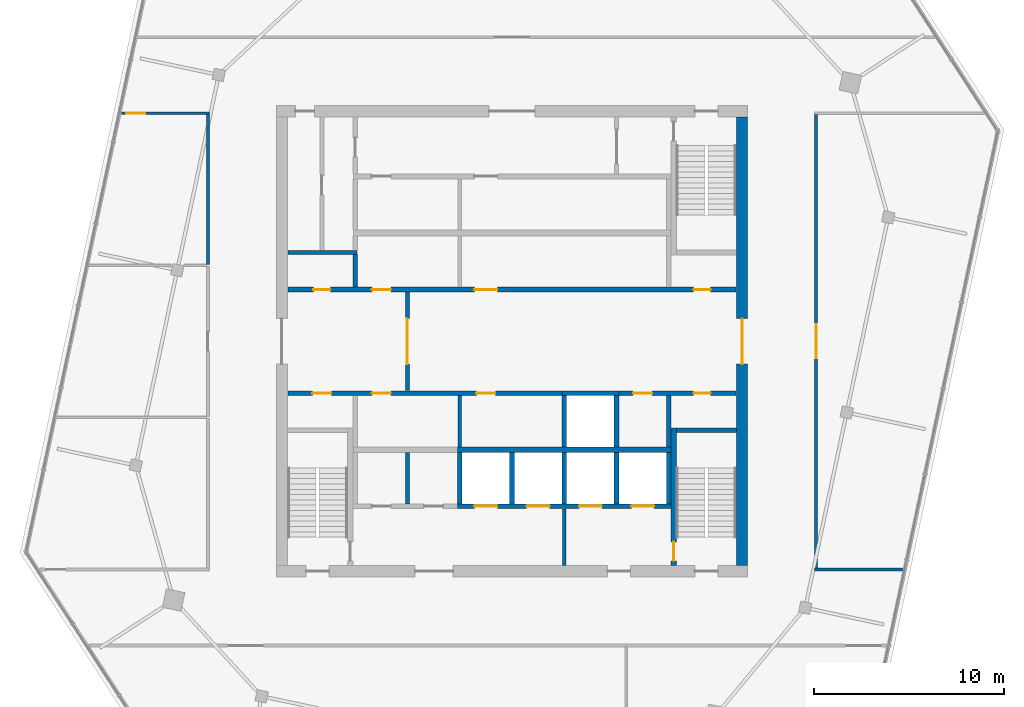
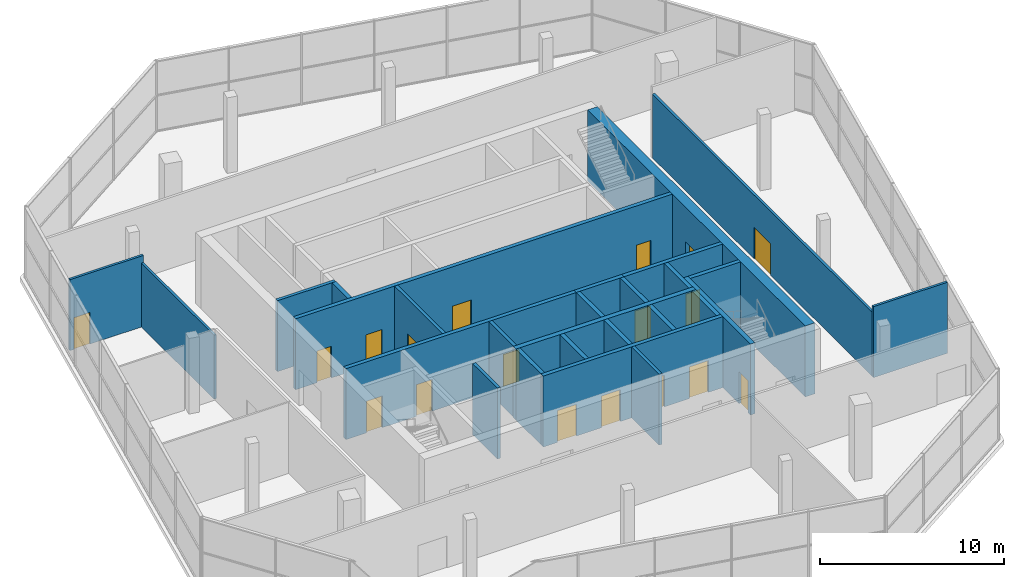
# One storey, part 9 of 11: 27 walls, 18 doors, 18 openings.
"""IFC4 building model written with IfcOpenShell, lengths in metres."""

from ifc_helpers import new_model, si_unit, direction, frame, frame_2d, origin, place, context, subcontext, project, spatial, rectangle, extrude, material, layer, layer_set, type_object, element, fill, save


model = new_model("IFC4")

# Units and contexts
model_context = context("Model", 3, precision=1e-05, world=origin(), true_north=direction((0.0, 1.0)))
body_context = subcontext(model_context, "Body", "Model", "MODEL_VIEW")
ifc_project = project(units=[si_unit("LENGTHUNIT", "METRE"), si_unit("AREAUNIT", "SQUARE_METRE"), si_unit("VOLUMEUNIT", "CUBIC_METRE"), si_unit("PLANEANGLEUNIT", "RADIAN"), si_unit("MASSUNIT", "GRAM", prefix="KILO")], contexts=[model_context])

# Site, building, storey
site_placement = place(None, origin())
site = spatial("IfcSite", under=ifc_project, at=site_placement, CompositionType="ELEMENT")
building_placement = place(site_placement, origin())
building = spatial("IfcBuilding", under=site, at=building_placement, Name="Dilmun Exchange Tower", CompositionType="ELEMENT")
storey_placement = place(building_placement, frame((0.0, 0.0, 363.10009765625)))
storey = spatial("IfcBuildingStorey", under=building, at=storey_placement, Name="Crown L85", CompositionType="ELEMENT", Elevation=363.10009765625)

# Walls
ifc_material_1 = material(Name="Concrete C40/50", Category="concrete")
ifc_layer_1 = layer(ifc_material_1, 0.199951171875)
ifc_layer_set_1 = layer_set([ifc_layer_1], Name="Concrete C40/50")
wall_type_1 = type_object("IfcWallType", Name="Core partition wall 200", PredefinedType="PARTITIONING", material=ifc_layer_set_1)
wall_1_placement = place(storey_placement, frame((2.75, -11.794921875, 0.0), z_axis=(0.0, 0.0, 1.0), x_axis=(0.0, 1.0, 0.0)))
element("IfcWall", 1, at=wall_1_placement, inside=storey, type_object=wall_type_1, Name="Crown L85 core partition wall 01", PredefinedType="PARTITIONING", context=body_context, shape_type="SweptSolid", body=[
    extrude(rectangle(XDim=2.989990234375, YDim=0.199951171875, at=frame_2d((1.4951171875, 0.0))), origin(), (0.0, 0.0, 1.0), 4.699951171875),
])
for number, where, z_axis, x_axis, name in (
    (2, (-5.5, -8.544921875, 0.0), (0.0, 0.0, 1.0), (0.0, 1.0, 0.0), "Crown L85 core partition wall 04"),
    (3, (-2.75, -5.544921875, 0.0), (0.0, 0.0, 1.0), (0.0, 1.0, 0.0), "Crown L85 core partition wall 07"),
):
    element("IfcWall", number, at=place(storey_placement, frame(where, z_axis=z_axis, x_axis=x_axis)), inside=storey, type_object=wall_type_1, Name=name, PredefinedType="PARTITIONING", context=body_context, shape_type="SweptSolid", body=[
        extrude(rectangle(XDim=2.68994140625, YDim=0.199951171875, at=frame_2d((1.344970703125, 0.0))), origin(), (0.0, 0.0, 1.0), 4.699951171875),
    ])

# Wall, opening, door
wall_2_placement = place(storey_placement, frame((-5.5, -2.594970703125, 0.0), z_axis=(0.0, 0.0, 1.0), x_axis=(0.0, 1.0, 0.0)))
wall_2 = element("IfcWall", 4, at=wall_2_placement, inside=storey, type_object=wall_type_1, Name="Crown L85 core partition wall 11", PredefinedType="PARTITIONING", context=body_context, shape_type="SweptSolid", body=[
    extrude(rectangle(XDim=5.18994140625, YDim=0.199951171875, at=frame_2d((2.594970703125, 0.0))), origin(), (0.0, 0.0, 1.0), 4.699951171875),
])
opening_1_placement = place(wall_2_placement, frame((1.39501953125, 0.0, 0.0)))
opening_1 = element("IfcOpeningElement", 5, at=opening_1_placement, cuts=wall_2, Name="Opening CD1", PredefinedType="OPENING", context=body_context, shape_type="SweptSolid", body=[
    extrude(rectangle(XDim=2.39990234375, YDim=2.39990234375, at=frame_2d((1.199951171875, 1.199951171875))), frame((0.0, 0.10986328125, 0.0), z_axis=(0.0, -1.0, 0.0), x_axis=(1.0, 0.0, 0.0)), (0.0, 0.0, 1.0), 0.219970703125),
])
ifc_material_2 = material(Name="Fire-rated steel door set", Category="steel")
door_type_1 = type_object("IfcDoorType", Name="Core lobby door 2400x2400", OperationType="DOUBLE_DOOR_DOUBLE_SWING", PredefinedType="DOOR", material=ifc_material_2)
door_1_placement = place(opening_1_placement, origin())
door_1 = element("IfcDoor", 6, at=door_1_placement, inside=storey, type_object=door_type_1, Name="Crown L85 door Lift lobby east", OperationType="DOUBLE_DOOR_DOUBLE_SWING", OverallHeight=2.39990234375, OverallWidth=2.39990234375, PredefinedType="DOOR", context=body_context, shape_type="SweptSolid", body=[
    extrude(rectangle(XDim=2.39990234375, YDim=2.39990234375, at=frame_2d((1.199951171875, 1.199951171875))), frame((0.0, 0.02490234375, 0.0), z_axis=(0.0, -1.0, 0.0), x_axis=(1.0, 0.0, 0.0)), (0.0, 0.0, 1.0), 0.050048828125),
])
fill(opening_1, door_1)

# Walls
wall_3_placement = place(storey_placement, frame((-11.794921875, 4.675048828125, 0.0), z_axis=(0.0, 0.0, 1.0), x_axis=(1.0, 0.0, 0.0)))
element("IfcWall", 7, at=wall_3_placement, inside=storey, type_object=wall_type_1, Name="Crown L85 core partition wall 16", PredefinedType="PARTITIONING", context=body_context, shape_type="SweptSolid", body=[
    extrude(rectangle(XDim=3.64501953125, YDim=0.199951171875, at=frame_2d((1.822509765625, 0.0))), origin(), (0.0, 0.0, 1.0), 4.699951171875),
])
ifc_layer_2 = layer(ifc_material_1, 0.25)
ifc_layer_set_2 = layer_set([ifc_layer_2], Name="Concrete C40/50")
wall_type_2 = type_object("IfcWallType", Name="Core partition wall 250", PredefinedType="PARTITIONING", material=ifc_layer_set_2)
wall_4_placement = place(storey_placement, frame((8.25, -5.544921875, 0.0), z_axis=(0.0, 0.0, 1.0), x_axis=(0.0, 1.0, 0.0)))
element("IfcWall", 8, at=wall_4_placement, inside=storey, type_object=wall_type_2, Name="Crown L85 core partition wall 08", PredefinedType="PARTITIONING", context=body_context, shape_type="SweptSolid", body=[
    extrude(rectangle(XDim=2.68994140625, YDim=0.25, at=frame_2d((1.344970703125, 0.0))), origin(), (0.0, 0.0, 1.0), 4.699951171875),
])

# Wall, openings, doors
wall_5_placement = place(storey_placement, frame((-11.794921875, -2.72509765625, 0.0), z_axis=(0.0, 0.0, 1.0), x_axis=(1.0, 0.0, 0.0)))
wall_5 = element("IfcWall", 9, at=wall_5_placement, inside=storey, type_object=wall_type_2, Name="Crown L85 core partition wall 09", PredefinedType="PARTITIONING", context=body_context, shape_type="SweptSolid", body=[
    extrude(rectangle(XDim=14.4150390625, YDim=0.25, at=frame_2d((7.20751953125, 0.0))), origin(), (0.0, 0.0, 1.0), 4.699951171875),
])
opening_2_placement = place(wall_5_placement, frame((1.294921875, 0.0, 0.0)))
opening_2 = element("IfcOpeningElement", 10, at=opening_2_placement, cuts=wall_5, Name="Opening CD4", PredefinedType="OPENING", context=body_context, shape_type="SweptSolid", body=[
    extrude(rectangle(XDim=1.0, YDim=2.10009765625, at=frame_2d((0.5, 1.050048828125))), frame((0.0, 0.135009765625, 0.0), z_axis=(0.0, -1.0, 0.0), x_axis=(1.0, 0.0, 0.0)), (0.0, 0.0, 1.0), 0.27001953125),
])
opening_3_placement = place(wall_5_placement, frame((4.419921875, 0.0, 0.0)))
opening_3 = element("IfcOpeningElement", 11, at=opening_3_placement, cuts=wall_5, Name="Opening CD4", PredefinedType="OPENING", context=body_context, shape_type="SweptSolid", body=[
    extrude(rectangle(XDim=1.0, YDim=2.10009765625, at=frame_2d((0.5, 1.050048828125))), frame((0.0, 0.135009765625, 0.0), z_axis=(0.0, -1.0, 0.0), x_axis=(1.0, 0.0, 0.0)), (0.0, 0.0, 1.0), 0.27001953125),
])
opening_4_placement = place(wall_5_placement, frame((9.919921875, 0.0, 0.0)))
opening_4 = element("IfcOpeningElement", 12, at=opening_4_placement, cuts=wall_5, Name="Opening CD4", PredefinedType="OPENING", context=body_context, shape_type="SweptSolid", body=[
    extrude(rectangle(XDim=1.0, YDim=2.10009765625, at=frame_2d((0.5, 1.050048828125))), frame((0.0, 0.135009765625, 0.0), z_axis=(0.0, -1.0, 0.0), x_axis=(1.0, 0.0, 0.0)), (0.0, 0.0, 1.0), 0.27001953125),
])
door_type_2 = type_object("IfcDoorType", Name="Core room door 1000x2100", OperationType="SINGLE_SWING_LEFT", PredefinedType="DOOR", material=ifc_material_2)
door_2_placement = place(opening_2_placement, origin())
door_2 = element("IfcDoor", 13, at=door_2_placement, inside=storey, type_object=door_type_2, Name="Crown L85 door Accessible WC", OperationType="SINGLE_SWING_RIGHT", OverallHeight=2.10009765625, OverallWidth=1.0, PredefinedType="DOOR", context=body_context, shape_type="SweptSolid", body=[
    extrude(rectangle(XDim=1.0, YDim=2.10009765625, at=frame_2d((0.5, 1.050048828125))), frame((0.0, 0.02490234375, 0.0), z_axis=(0.0, -1.0, 0.0), x_axis=(1.0, 0.0, 0.0)), (0.0, 0.0, 1.0), 0.050048828125),
])
fill(opening_2, door_2)
door_3_placement = place(opening_3_placement, origin())
door_3 = element("IfcDoor", 14, at=door_3_placement, inside=storey, type_object=door_type_2, Name="Crown L85 door Print and mail room", OperationType="SINGLE_SWING_RIGHT", OverallHeight=2.10009765625, OverallWidth=1.0, PredefinedType="DOOR", context=body_context, shape_type="SweptSolid", body=[
    extrude(rectangle(XDim=1.0, YDim=2.10009765625, at=frame_2d((0.5, 1.050048828125))), frame((0.0, 0.02490234375, 0.0), z_axis=(0.0, -1.0, 0.0), x_axis=(1.0, 0.0, 0.0)), (0.0, 0.0, 1.0), 0.050048828125),
])
fill(opening_3, door_3)
door_4_placement = place(opening_4_placement, origin())
door_4 = element("IfcDoor", 15, at=door_4_placement, inside=storey, type_object=door_type_2, Name="Crown L85 door Archive store", OperationType="SINGLE_SWING_RIGHT", OverallHeight=2.10009765625, OverallWidth=1.0, PredefinedType="DOOR", context=body_context, shape_type="SweptSolid", body=[
    extrude(rectangle(XDim=1.0, YDim=2.10009765625, at=frame_2d((0.5, 1.050048828125))), frame((0.0, 0.02490234375, 0.0), z_axis=(0.0, -1.0, 0.0), x_axis=(1.0, 0.0, 0.0)), (0.0, 0.0, 1.0), 0.050048828125),
])
fill(opening_4, door_4)

wall_6_placement = place(storey_placement, frame((5.6298828125, -2.72509765625, 0.0), z_axis=(0.0, 0.0, 1.0), x_axis=(1.0, 0.0, 0.0)))
wall_6 = element("IfcWall", 16, at=wall_6_placement, inside=storey, type_object=wall_type_2, Name="Crown L85 core partition wall 10", PredefinedType="PARTITIONING", context=body_context, shape_type="SweptSolid", body=[
    extrude(rectangle(XDim=6.1650390625, YDim=0.25, at=frame_2d((3.08251953125, 0.0))), origin(), (0.0, 0.0, 1.0), 4.699951171875),
])
opening_5_placement = place(wall_6_placement, frame((0.7451171875, 0.0, 0.0)))
opening_5 = element("IfcOpeningElement", 17, at=opening_5_placement, cuts=wall_6, Name="Opening CD4", PredefinedType="OPENING", context=body_context, shape_type="SweptSolid", body=[
    extrude(rectangle(XDim=1.0, YDim=2.10009765625, at=frame_2d((0.5, 1.050048828125))), frame((0.0, 0.135009765625, 0.0), z_axis=(0.0, -1.0, 0.0), x_axis=(1.0, 0.0, 0.0)), (0.0, 0.0, 1.0), 0.27001953125),
])
opening_6_placement = place(wall_6_placement, frame((3.919921875, 0.0, 0.0)))
opening_6 = element("IfcOpeningElement", 18, at=opening_6_placement, cuts=wall_6, Name="Opening CD6", PredefinedType="OPENING", context=body_context, shape_type="SweptSolid", body=[
    extrude(rectangle(XDim=0.89990234375, YDim=2.10009765625, at=frame_2d((0.449951171875, 1.050048828125))), frame((0.0, 0.135009765625, 0.0), z_axis=(0.0, -1.0, 0.0), x_axis=(1.0, 0.0, 0.0)), (0.0, 0.0, 1.0), 0.27001953125),
])
door_5_placement = place(opening_5_placement, origin())
door_5 = element("IfcDoor", 19, at=door_5_placement, inside=storey, type_object=door_type_2, Name="Crown L85 door Cleaners' store", OperationType="SINGLE_SWING_RIGHT", OverallHeight=2.10009765625, OverallWidth=1.0, PredefinedType="DOOR", context=body_context, shape_type="SweptSolid", body=[
    extrude(rectangle(XDim=1.0, YDim=2.10009765625, at=frame_2d((0.5, 1.050048828125))), frame((0.0, 0.02490234375, 0.0), z_axis=(0.0, -1.0, 0.0), x_axis=(1.0, 0.0, 0.0)), (0.0, 0.0, 1.0), 0.050048828125),
])
fill(opening_5, door_5)
door_type_3 = type_object("IfcDoorType", Name="Core room door 900x2100", OperationType="SINGLE_SWING_LEFT", PredefinedType="DOOR", material=ifc_material_2)
door_6_placement = place(opening_6_placement, origin())
door_6 = element("IfcDoor", 20, at=door_6_placement, inside=storey, type_object=door_type_3, Name="Crown L85 door Comms riser", OperationType="SINGLE_SWING_RIGHT", OverallHeight=2.10009765625, OverallWidth=0.89990234375, PredefinedType="DOOR", context=body_context, shape_type="SweptSolid", body=[
    extrude(rectangle(XDim=0.89990234375, YDim=2.10009765625, at=frame_2d((0.449951171875, 1.050048828125))), frame((0.0, 0.02490234375, 0.0), z_axis=(0.0, -1.0, 0.0), x_axis=(1.0, 0.0, 0.0)), (0.0, 0.0, 1.0), 0.050048828125),
])
fill(opening_6, door_6)

wall_7_placement = place(storey_placement, frame((-11.794921875, 2.72509765625, 0.0), z_axis=(0.0, 0.0, 1.0), x_axis=(1.0, 0.0, 0.0)))
wall_7 = element("IfcWall", 21, at=wall_7_placement, inside=storey, type_object=wall_type_2, Name="Crown L85 core partition wall 12", PredefinedType="PARTITIONING", context=body_context, shape_type="SweptSolid", body=[
    extrude(rectangle(XDim=23.58984375, YDim=0.25, at=frame_2d((11.794921875, 0.0))), origin(), (0.0, 0.0, 1.0), 4.699951171875),
])
opening_7_placement = place(wall_7_placement, frame((21.344970703125, 0.0, 0.0)))
opening_7 = element("IfcOpeningElement", 22, at=opening_7_placement, cuts=wall_7, Name="Opening CD6", PredefinedType="OPENING", context=body_context, shape_type="SweptSolid", body=[
    extrude(rectangle(XDim=0.89990234375, YDim=2.10009765625, at=frame_2d((0.449951171875, 1.050048828125))), frame((0.0, 0.135009765625, 0.0), z_axis=(0.0, -1.0, 0.0), x_axis=(1.0, 0.0, 0.0)), (0.0, 0.0, 1.0), 0.27001953125),
])
opening_8_placement = place(wall_7_placement, frame((1.344970703125, 0.0, 0.0)))
opening_8 = element("IfcOpeningElement", 23, at=opening_8_placement, cuts=wall_7, Name="Opening CD6", PredefinedType="OPENING", context=body_context, shape_type="SweptSolid", body=[
    extrude(rectangle(XDim=0.89990234375, YDim=2.10009765625, at=frame_2d((0.449951171875, 1.050048828125))), frame((0.0, 0.135009765625, 0.0), z_axis=(0.0, -1.0, 0.0), x_axis=(1.0, 0.0, 0.0)), (0.0, 0.0, 1.0), 0.27001953125),
])
opening_9_placement = place(wall_7_placement, frame((4.419921875, 0.0, 0.0)))
opening_9 = element("IfcOpeningElement", 24, at=opening_9_placement, cuts=wall_7, Name="Opening CD4", PredefinedType="OPENING", context=body_context, shape_type="SweptSolid", body=[
    extrude(rectangle(XDim=1.0, YDim=2.10009765625, at=frame_2d((0.5, 1.050048828125))), frame((0.0, 0.135009765625, 0.0), z_axis=(0.0, -1.0, 0.0), x_axis=(1.0, 0.0, 0.0)), (0.0, 0.0, 1.0), 0.27001953125),
])
opening_10_placement = place(wall_7_placement, frame((9.820068359375, 0.0, 0.0)))
opening_10 = element("IfcOpeningElement", 25, at=opening_10_placement, cuts=wall_7, Name="Opening CD3", PredefinedType="OPENING", context=body_context, shape_type="SweptSolid", body=[
    extrude(rectangle(XDim=1.199951171875, YDim=2.10009765625, at=frame_2d((0.60009765625, 1.050048828125))), frame((0.0, 0.135009765625, 0.0), z_axis=(0.0, -1.0, 0.0), x_axis=(1.0, 0.0, 0.0)), (0.0, 0.0, 1.0), 0.27001953125),
])
door_7_placement = place(opening_9_placement, origin())
door_7 = element("IfcDoor", 26, at=door_7_placement, inside=storey, type_object=door_type_2, Name="Crown L85 door Archive store", OperationType="SINGLE_SWING_RIGHT", OverallHeight=2.10009765625, OverallWidth=1.0, PredefinedType="DOOR", context=body_context, shape_type="SweptSolid", body=[
    extrude(rectangle(XDim=1.0, YDim=2.10009765625, at=frame_2d((0.5, 1.050048828125))), frame((0.0, 0.02490234375, 0.0), z_axis=(0.0, -1.0, 0.0), x_axis=(1.0, 0.0, 0.0)), (0.0, 0.0, 1.0), 0.050048828125),
])
fill(opening_9, door_7)
door_8_placement = place(opening_7_placement, origin())
door_8 = element("IfcDoor", 27, at=door_8_placement, inside=storey, type_object=door_type_3, Name="Crown L85 door Electrical riser", OperationType="SINGLE_SWING_RIGHT", OverallHeight=2.10009765625, OverallWidth=0.89990234375, PredefinedType="DOOR", context=body_context, shape_type="SweptSolid", body=[
    extrude(rectangle(XDim=0.89990234375, YDim=2.10009765625, at=frame_2d((0.449951171875, 1.050048828125))), frame((0.0, 0.02490234375, 0.0), z_axis=(0.0, -1.0, 0.0), x_axis=(1.0, 0.0, 0.0)), (0.0, 0.0, 1.0), 0.050048828125),
])
fill(opening_7, door_8)
door_9_placement = place(opening_8_placement, origin())
door_9 = element("IfcDoor", 28, at=door_9_placement, inside=storey, type_object=door_type_3, Name="Crown L85 door Plumbing riser", OperationType="SINGLE_SWING_RIGHT", OverallHeight=2.10009765625, OverallWidth=0.89990234375, PredefinedType="DOOR", context=body_context, shape_type="SweptSolid", body=[
    extrude(rectangle(XDim=0.89990234375, YDim=2.10009765625, at=frame_2d((0.449951171875, 1.050048828125))), frame((0.0, 0.02490234375, 0.0), z_axis=(0.0, -1.0, 0.0), x_axis=(1.0, 0.0, 0.0)), (0.0, 0.0, 1.0), 0.050048828125),
])
fill(opening_8, door_9)
door_type_4 = type_object("IfcDoorType", Name="Stair exit door 1200x2100", OperationType="SINGLE_SWING_LEFT", PredefinedType="DOOR", material=ifc_material_2)
door_10_placement = place(opening_10_placement, origin())
door_10 = element("IfcDoor", 29, at=door_10_placement, inside=storey, type_object=door_type_4, Name="Crown L85 door Facilities workshop", OperationType="SINGLE_SWING_LEFT", OverallHeight=2.10009765625, OverallWidth=1.199951171875, PredefinedType="DOOR", context=body_context, shape_type="SweptSolid", body=[
    extrude(rectangle(XDim=1.199951171875, YDim=2.10009765625, at=frame_2d((0.60009765625, 1.050048828125))), frame((0.0, 0.02490234375, 0.0), z_axis=(0.0, -1.0, 0.0), x_axis=(1.0, 0.0, 0.0)), (0.0, 0.0, 1.0), 0.050048828125),
])
fill(opening_10, door_10)

# Wall
wall_8_placement = place(storey_placement, frame((-8.25, 2.85498046875, 0.0), z_axis=(0.0, 0.0, 1.0), x_axis=(0.0, 1.0, 0.0)))
element("IfcWall", 30, at=wall_8_placement, inside=storey, type_object=wall_type_2, Name="Crown L85 core partition wall 13", PredefinedType="PARTITIONING", context=body_context, shape_type="SweptSolid", body=[
    extrude(rectangle(XDim=1.715087890625, YDim=0.25, at=frame_2d((0.857421875, 0.0))), origin(), (0.0, 0.0, 1.0), 4.699951171875),
])

# Wall, opening, door
ifc_material_3 = material(Name="Concrete C50/60", Category="concrete")
ifc_layer_3 = layer(ifc_material_3, 0.60009765625)
ifc_layer_set_3 = layer_set([ifc_layer_3], Name="Concrete C50/60")
wall_type_3 = type_object("IfcWallType", Name="Core shear wall 600 Concrete C50/60", PredefinedType="SHEAR", material=ifc_layer_set_3)
wall_9_placement = place(storey_placement, frame((12.10009765625, -11.800048828125, 0.0), z_axis=(0.0, 0.0, 1.0), x_axis=(0.0, 1.0, 0.0)))
wall_9 = element("IfcWall", 31, at=wall_9_placement, inside=storey, type_object=wall_type_3, Name="Crown L85 core shear wall E", PredefinedType="SHEAR", context=body_context, shape_type="SweptSolid", body=[
    extrude(rectangle(XDim=23.60009765625, YDim=0.60009765625, at=frame_2d((11.800048828125, 0.0))), origin(), (0.0, 0.0, 1.0), 4.699951171875),
])
opening_11_placement = place(wall_9_placement, frame((10.60009765625, 0.0, 0.0)))
opening_11 = element("IfcOpeningElement", 32, at=opening_11_placement, cuts=wall_9, Name="Opening CD1", PredefinedType="OPENING", context=body_context, shape_type="SweptSolid", body=[
    extrude(rectangle(XDim=2.39990234375, YDim=2.39990234375, at=frame_2d((1.199951171875, 1.199951171875))), frame((0.0, 0.31005859375, 0.0), z_axis=(0.0, -1.0, 0.0), x_axis=(1.0, 0.0, 0.0)), (0.0, 0.0, 1.0), 0.6201171875),
])
door_11_placement = place(opening_11_placement, origin())
door_11 = element("IfcDoor", 33, at=door_11_placement, inside=storey, type_object=door_type_1, Name="Crown L85 door Central lift lobby", OperationType="SINGLE_SWING_LEFT", OverallHeight=2.39990234375, OverallWidth=2.39990234375, PredefinedType="DOOR", context=body_context, shape_type="SweptSolid", body=[
    extrude(rectangle(XDim=2.39990234375, YDim=2.39990234375, at=frame_2d((1.199951171875, 1.199951171875))), frame((0.0, 0.02490234375, 0.0), z_axis=(0.0, -1.0, 0.0), x_axis=(1.0, 0.0, 0.0)), (0.0, 0.0, 1.0), 0.050048828125),
])
fill(opening_11, door_11)

# Wall
ifc_material_4 = material(Name="Fire partition EI 60 150 gypsum")
ifc_layer_4 = layer(ifc_material_4, 0.14990234375)
ifc_layer_set_4 = layer_set([ifc_layer_4], Name="Fire partition EI 60 150 gypsum")
wall_type_4 = type_object("IfcWallType", Name="Fire partition EI 60 150 gypsum", PredefinedType="PARTITIONING", material=ifc_layer_set_4)
wall_10_placement = place(storey_placement, frame((15.925048828125, -12.0, 0.0), z_axis=(0.0, 0.0, 1.0), x_axis=(1.0, 0.0, 0.0)))
element("IfcWall", 34, at=wall_10_placement, inside=storey, type_object=wall_type_4, Name="Crown L85 partition", PredefinedType="PARTITIONING", context=body_context, shape_type="SweptSolid", body=[
    extrude(rectangle(XDim=4.629150390625, YDim=0.14990234375, at=frame_2d((2.314453125, 0.0))), origin(), (0.0, 0.0, 1.0), 4.699951171875),
])

# Wall, opening, door
wall_11_placement = place(storey_placement, frame((-20.55419921875, 12.0, 0.0), z_axis=(0.0, 0.0, 1.0), x_axis=(1.0, 0.0, 0.0)))
wall_11 = element("IfcWall", 35, at=wall_11_placement, inside=storey, type_object=wall_type_4, Name="Crown L85 partition", PredefinedType="PARTITIONING", context=body_context, shape_type="SweptSolid", body=[
    extrude(rectangle(XDim=4.629150390625, YDim=0.14990234375, at=frame_2d((2.314453125, 0.0))), origin(), (0.0, 0.0, 1.0), 4.699951171875),
])
opening_12_placement = place(wall_11_placement, frame((0.254150390625, 0.0, 0.0)))
opening_12 = element("IfcOpeningElement", 36, at=opening_12_placement, cuts=wall_11, Name="Opening CrownL85-D006", PredefinedType="OPENING", context=body_context, shape_type="SweptSolid", body=[
    extrude(rectangle(XDim=1.0, YDim=2.10009765625, at=frame_2d((0.5, 1.050048828125))), frame((0.0, 0.0849609375, 0.0), z_axis=(0.0, -1.0, 0.0), x_axis=(1.0, 0.0, 0.0)), (0.0, 0.0, 1.0), 0.169921875),
])
ifc_material_5 = material(Name="Fire door FD60 1000 x 2100")
door_type_5 = type_object("IfcDoorType", Name="Fire door FD60 1000 x 2100", OperationType="SINGLE_SWING_LEFT", PredefinedType="DOOR", material=ifc_material_5)
door_12_placement = place(opening_12_placement, origin())
door_12 = element("IfcDoor", 37, at=door_12_placement, inside=storey, type_object=door_type_5, Name="Crown L85 door CrownL85-D006", OperationType="SINGLE_SWING_RIGHT", OverallHeight=2.10009765625, OverallWidth=1.0, PredefinedType="DOOR", context=body_context, shape_type="SweptSolid", body=[
    extrude(rectangle(XDim=1.0, YDim=2.10009765625, at=frame_2d((0.5, 1.050048828125))), frame((0.0, 0.02490234375, 0.0), z_axis=(0.0, -1.0, 0.0), x_axis=(1.0, 0.0, 0.0)), (0.0, 0.0, 1.0), 0.050048828125),
])
fill(opening_12, door_12)

# Wall
wall_12_placement = place(storey_placement, frame((-16.0, 4.050048828125, 0.0), z_axis=(0.0, 0.0, 1.0), x_axis=(0.0, 1.0, 0.0)))
element("IfcWall", 38, at=wall_12_placement, inside=storey, type_object=wall_type_4, Name="Crown L85 partition", PredefinedType="PARTITIONING", context=body_context, shape_type="SweptSolid", body=[
    extrude(rectangle(XDim=7.875, YDim=0.14990234375, at=frame_2d((3.9375, 0.0))), origin(), (0.0, 0.0, 1.0), 4.22998046875),
])

# Wall, opening, door
wall_13_placement = place(storey_placement, frame((16.0, -11.925048828125, 0.0), z_axis=(0.0, 0.0, 1.0), x_axis=(0.0, 1.0, 0.0)))
wall_13 = element("IfcWall", 39, at=wall_13_placement, inside=storey, type_object=wall_type_4, Name="Crown L85 partition", PredefinedType="PARTITIONING", context=body_context, shape_type="SweptSolid", body=[
    extrude(rectangle(XDim=23.85009765625, YDim=0.14990234375, at=frame_2d((11.925048828125, 0.0))), origin(), (0.0, 0.0, 1.0), 4.22998046875),
])
opening_13_placement = place(wall_13_placement, frame((11.02490234375, 0.0, 0.0)))
opening_13 = element("IfcOpeningElement", 40, at=opening_13_placement, cuts=wall_13, Name="Opening CrownL85-D007", PredefinedType="OPENING", context=body_context, shape_type="SweptSolid", body=[
    extrude(rectangle(XDim=1.800048828125, YDim=2.10009765625, at=frame_2d((0.89990234375, 1.050048828125))), frame((0.0, 0.0849609375, 0.0), z_axis=(0.0, -1.0, 0.0), x_axis=(1.0, 0.0, 0.0)), (0.0, 0.0, 1.0), 0.169921875),
])
ifc_material_6 = material(Name="Fire door FD60 double 1800 x 2100")
door_type_6 = type_object("IfcDoorType", Name="Fire door FD60 double 1800 x 2100", OperationType="DOUBLE_DOOR_SINGLE_SWING", PredefinedType="DOOR", material=ifc_material_6)
door_13_placement = place(opening_13_placement, origin())
door_13 = element("IfcDoor", 41, at=door_13_placement, inside=storey, type_object=door_type_6, Name="Crown L85 door CrownL85-D007", OperationType="DOUBLE_DOOR_SINGLE_SWING", OverallHeight=2.10009765625, OverallWidth=1.800048828125, PredefinedType="DOOR", context=body_context, shape_type="SweptSolid", body=[
    extrude(rectangle(XDim=1.800048828125, YDim=2.10009765625, at=frame_2d((0.89990234375, 1.050048828125))), frame((0.0, 0.02490234375, 0.0), z_axis=(0.0, -1.0, 0.0), x_axis=(1.0, 0.0, 0.0)), (0.0, 0.0, 1.0), 0.050048828125),
])
fill(opening_13, door_13)

# Walls
ifc_layer_5 = layer(ifc_material_1, 0.300048828125)
ifc_layer_set_5 = layer_set([ifc_layer_5], Name="Concrete C40/50")
wall_type_5 = type_object("IfcWallType", Name="Lift shaft shared wall 300", PredefinedType="SOLIDWALL", material=ifc_layer_set_5)
wall_14_placement = place(storey_placement, frame((-2.875, -5.699951171875, 0.0), z_axis=(0.0, 0.0, 1.0), x_axis=(1.0, 0.0, 0.0)))
element("IfcWall", 42, at=wall_14_placement, inside=storey, type_object=wall_type_5, Name="Crown L85 lift shaft rear wall S", PredefinedType="SOLIDWALL", context=body_context, shape_type="SweptSolid", body=[
    extrude(rectangle(XDim=11.25, YDim=0.300048828125, at=frame_2d((5.625, 0.0))), origin(), (0.0, 0.0, 1.0), 4.699951171875),
])
ifc_layer_6 = layer(ifc_material_1, 0.25)
ifc_layer_set_6 = layer_set([ifc_layer_6], Name="Concrete C40/50")
wall_type_6 = type_object("IfcWallType", Name="Lift shaft wall 250", PredefinedType="SOLIDWALL", material=ifc_layer_set_6)
wall_15_placement = place(storey_placement, frame((2.625, -2.72509765625, 0.0), z_axis=(0.0, 0.0, 1.0), x_axis=(1.0, 0.0, 0.0)))
element("IfcWall", 43, at=wall_15_placement, inside=storey, type_object=wall_type_6, Name="Crown L85 lift shaft front wall S1", PredefinedType="SOLIDWALL", context=body_context, shape_type="SweptSolid", body=[
    extrude(rectangle(XDim=3.0, YDim=0.25, at=frame_2d((1.5, 0.0))), origin(), (0.0, 0.0, 1.0), 4.699951171875),
])
for number, where, z_axis, x_axis, name in (
    (44, (2.75, -5.550048828125, 0.0), (0.0, 0.0, 1.0), (0.0, 1.0, 0.0), "Crown L85 lift shaft divider S14"),
    (45, (5.5, -5.550048828125, 0.0), (0.0, 0.0, 1.0), (0.0, 1.0, 0.0), "Crown L85 lift shaft divider S15"),
):
    element("IfcWall", number, at=place(storey_placement, frame(where, z_axis=z_axis, x_axis=x_axis)), inside=storey, type_object=wall_type_6, Name=name, PredefinedType="SOLIDWALL", context=body_context, shape_type="SweptSolid", body=[
        extrude(rectangle(XDim=2.699951171875, YDim=0.25, at=frame_2d((1.35009765625, 0.0))), origin(), (0.0, 0.0, 1.0), 4.699951171875),
    ])

# Wall, openings, doors
wall_16_placement = place(storey_placement, frame((-2.875, -8.675048828125, 0.0), z_axis=(0.0, 0.0, 1.0), x_axis=(1.0, 0.0, 0.0)))
wall_16 = element("IfcWall", 46, at=wall_16_placement, inside=storey, type_object=wall_type_6, Name="Crown L85 lift shaft front wall S2", PredefinedType="SOLIDWALL", context=body_context, shape_type="SweptSolid", body=[
    extrude(rectangle(XDim=11.25, YDim=0.25, at=frame_2d((5.625, 0.0))), origin(), (0.0, 0.0, 1.0), 4.699951171875),
])
opening_14_placement = place(wall_16_placement, frame((0.89990234375, 0.0, 0.0)))
opening_14 = element("IfcOpeningElement", 47, at=opening_14_placement, cuts=wall_16, Name="Opening LD", PredefinedType="OPENING", context=body_context, shape_type="SweptSolid", body=[
    extrude(rectangle(XDim=1.199951171875, YDim=2.10009765625, at=frame_2d((0.60009765625, 1.050048828125))), frame((0.0, 0.135009765625, 0.0), z_axis=(0.0, -1.0, 0.0), x_axis=(1.0, 0.0, 0.0)), (0.0, 0.0, 1.0), 0.27001953125),
])
opening_15_placement = place(wall_16_placement, frame((3.64990234375, 0.0, 0.0)))
opening_15 = element("IfcOpeningElement", 48, at=opening_15_placement, cuts=wall_16, Name="Opening LD", PredefinedType="OPENING", context=body_context, shape_type="SweptSolid", body=[
    extrude(rectangle(XDim=1.199951171875, YDim=2.10009765625, at=frame_2d((0.60009765625, 1.050048828125))), frame((0.0, 0.135009765625, 0.0), z_axis=(0.0, -1.0, 0.0), x_axis=(1.0, 0.0, 0.0)), (0.0, 0.0, 1.0), 0.27001953125),
])
opening_16_placement = place(wall_16_placement, frame((6.39990234375, 0.0, 0.0)))
opening_16 = element("IfcOpeningElement", 49, at=opening_16_placement, cuts=wall_16, Name="Opening LD", PredefinedType="OPENING", context=body_context, shape_type="SweptSolid", body=[
    extrude(rectangle(XDim=1.199951171875, YDim=2.10009765625, at=frame_2d((0.60009765625, 1.050048828125))), frame((0.0, 0.135009765625, 0.0), z_axis=(0.0, -1.0, 0.0), x_axis=(1.0, 0.0, 0.0)), (0.0, 0.0, 1.0), 0.27001953125),
])
opening_17_placement = place(wall_16_placement, frame((9.14990234375, 0.0, 0.0)))
opening_17 = element("IfcOpeningElement", 50, at=opening_17_placement, cuts=wall_16, Name="Opening LD", PredefinedType="OPENING", context=body_context, shape_type="SweptSolid", body=[
    extrude(rectangle(XDim=1.199951171875, YDim=2.10009765625, at=frame_2d((0.60009765625, 1.050048828125))), frame((0.0, 0.135009765625, 0.0), z_axis=(0.0, -1.0, 0.0), x_axis=(1.0, 0.0, 0.0)), (0.0, 0.0, 1.0), 0.27001953125),
])
door_type_7 = type_object("IfcDoorType", Name="Lift landing door 1200x2100", OperationType="DOUBLE_DOOR_SLIDING", PredefinedType="DOOR", material=ifc_material_2)
door_14_placement = place(opening_14_placement, origin())
door_14 = element("IfcDoor", 51, at=door_14_placement, inside=storey, type_object=door_type_7, Name="Crown L85 landing door SV1", OperationType="DOUBLE_DOOR_SLIDING", OverallHeight=2.10009765625, OverallWidth=1.199951171875, PredefinedType="DOOR", context=body_context, shape_type="SweptSolid", body=[
    extrude(rectangle(XDim=1.199951171875, YDim=2.10009765625, at=frame_2d((0.60009765625, 1.050048828125))), frame((0.0, 0.02490234375, 0.0), z_axis=(0.0, -1.0, 0.0), x_axis=(1.0, 0.0, 0.0)), (0.0, 0.0, 1.0), 0.050048828125),
])
fill(opening_14, door_14)
door_15_placement = place(opening_15_placement, origin())
door_15 = element("IfcDoor", 52, at=door_15_placement, inside=storey, type_object=door_type_7, Name="Crown L85 landing door SV2", OperationType="DOUBLE_DOOR_SLIDING", OverallHeight=2.10009765625, OverallWidth=1.199951171875, PredefinedType="DOOR", context=body_context, shape_type="SweptSolid", body=[
    extrude(rectangle(XDim=1.199951171875, YDim=2.10009765625, at=frame_2d((0.60009765625, 1.050048828125))), frame((0.0, 0.02490234375, 0.0), z_axis=(0.0, -1.0, 0.0), x_axis=(1.0, 0.0, 0.0)), (0.0, 0.0, 1.0), 0.050048828125),
])
fill(opening_15, door_15)
door_16_placement = place(opening_16_placement, origin())
door_16 = element("IfcDoor", 53, at=door_16_placement, inside=storey, type_object=door_type_7, Name="Crown L85 landing door FF1", OperationType="DOUBLE_DOOR_SLIDING", OverallHeight=2.10009765625, OverallWidth=1.199951171875, PredefinedType="DOOR", context=body_context, shape_type="SweptSolid", body=[
    extrude(rectangle(XDim=1.199951171875, YDim=2.10009765625, at=frame_2d((0.60009765625, 1.050048828125))), frame((0.0, 0.02490234375, 0.0), z_axis=(0.0, -1.0, 0.0), x_axis=(1.0, 0.0, 0.0)), (0.0, 0.0, 1.0), 0.050048828125),
])
fill(opening_16, door_16)
door_17_placement = place(opening_17_placement, origin())
door_17 = element("IfcDoor", 54, at=door_17_placement, inside=storey, type_object=door_type_7, Name="Crown L85 landing door FF2", OperationType="DOUBLE_DOOR_SLIDING", OverallHeight=2.10009765625, OverallWidth=1.199951171875, PredefinedType="DOOR", context=body_context, shape_type="SweptSolid", body=[
    extrude(rectangle(XDim=1.199951171875, YDim=2.10009765625, at=frame_2d((0.60009765625, 1.050048828125))), frame((0.0, 0.02490234375, 0.0), z_axis=(0.0, -1.0, 0.0), x_axis=(1.0, 0.0, 0.0)), (0.0, 0.0, 1.0), 0.050048828125),
])
fill(opening_17, door_17)

# Walls
for number, where, z_axis, x_axis, name in (
    (55, (-2.75, -8.550048828125, 0.0), (0.0, 0.0, 1.0), (0.0, 1.0, 0.0), "Crown L85 lift shaft divider S22"),
    (56, (0.0, -8.550048828125, 0.0), (0.0, 0.0, 1.0), (0.0, 1.0, 0.0), "Crown L85 lift shaft divider S23"),
    (57, (2.75, -8.550048828125, 0.0), (0.0, 0.0, 1.0), (0.0, 1.0, 0.0), "Crown L85 lift shaft divider S24"),
    (58, (5.5, -8.550048828125, 0.0), (0.0, 0.0, 1.0), (0.0, 1.0, 0.0), "Crown L85 lift shaft divider S25"),
    (59, (8.25, -8.550048828125, 0.0), (0.0, 0.0, 1.0), (0.0, 1.0, 0.0), "Crown L85 lift shaft divider S26"),
):
    element("IfcWall", number, at=place(storey_placement, frame(where, z_axis=z_axis, x_axis=x_axis)), inside=storey, type_object=wall_type_6, Name=name, PredefinedType="SOLIDWALL", context=body_context, shape_type="SweptSolid", body=[
        extrude(rectangle(XDim=2.699951171875, YDim=0.25, at=frame_2d((1.35009765625, 0.0))), origin(), (0.0, 0.0, 1.0), 4.699951171875),
    ])
ifc_layer_7 = layer(ifc_material_1, 0.25)
ifc_layer_set_7 = layer_set([ifc_layer_7], Name="Concrete C40/50")
wall_type_7 = type_object("IfcWallType", Name="Stair end wall 250", PredefinedType="SOLIDWALL", material=ifc_layer_set_7)
wall_17_placement = place(storey_placement, frame((8.64990234375, -4.675048828125, 0.0), z_axis=(0.0, 0.0, 1.0), x_axis=(1.0, 0.0, 0.0)))
element("IfcWall", 60, at=wall_17_placement, inside=storey, type_object=wall_type_7, Name="Crown L85 ST3 far wall", PredefinedType="SOLIDWALL", context=body_context, shape_type="SweptSolid", body=[
    extrude(rectangle(XDim=3.150146484375, YDim=0.25, at=frame_2d((1.5751953125, 0.0))), origin(), (0.0, 0.0, 1.0), 4.699951171875),
])

# Wall, opening, door
ifc_layer_8 = layer(ifc_material_1, 0.27490234375)
ifc_layer_set_8 = layer_set([ifc_layer_8], Name="Concrete C40/50")
wall_type_8 = type_object("IfcWallType", Name="Stair wall 275", PredefinedType="SOLIDWALL", material=ifc_layer_set_8)
wall_18_placement = place(storey_placement, frame((8.512451171875, -4.550048828125, 0.0), z_axis=(0.0, 0.0, 1.0), x_axis=(0.0, -1.0, 0.0)))
wall_18 = element("IfcWall", 61, at=wall_18_placement, inside=storey, type_object=wall_type_8, Name="Crown L85 ST3 wall to lift block", PredefinedType="SOLIDWALL", context=body_context, shape_type="SweptSolid", body=[
    extrude(rectangle(XDim=7.25, YDim=0.27490234375, at=frame_2d((3.625, 0.0))), origin(), (0.0, 0.0, 1.0), 4.699951171875),
])
opening_18_placement = place(wall_18_placement, frame((6.0, 0.0, 0.0)))
opening_18 = element("IfcOpeningElement", 62, at=opening_18_placement, cuts=wall_18, Name="Opening CD4", PredefinedType="OPENING", context=body_context, shape_type="SweptSolid", body=[
    extrude(rectangle(XDim=1.0, YDim=2.10009765625, at=frame_2d((0.5, 1.050048828125))), frame((0.0, 0.1474609375, 0.0), z_axis=(0.0, -1.0, 0.0), x_axis=(1.0, 0.0, 0.0)), (0.0, 0.0, 1.0), 0.294921875),
])
door_18_placement = place(opening_18_placement, origin())
door_18 = element("IfcDoor", 63, at=door_18_placement, inside=storey, type_object=door_type_2, Name="Crown L85 door ST3 from lobby", OperationType="SINGLE_SWING_LEFT", OverallHeight=2.10009765625, OverallWidth=1.0, PredefinedType="DOOR", context=body_context, shape_type="SweptSolid", body=[
    extrude(rectangle(XDim=1.0, YDim=2.10009765625, at=frame_2d((0.5, 1.050048828125))), frame((0.0, 0.02490234375, 0.0), z_axis=(0.0, -1.0, 0.0), x_axis=(1.0, 0.0, 0.0)), (0.0, 0.0, 1.0), 0.050048828125),
])
fill(opening_18, door_18)

save(model, "model.ifc")
